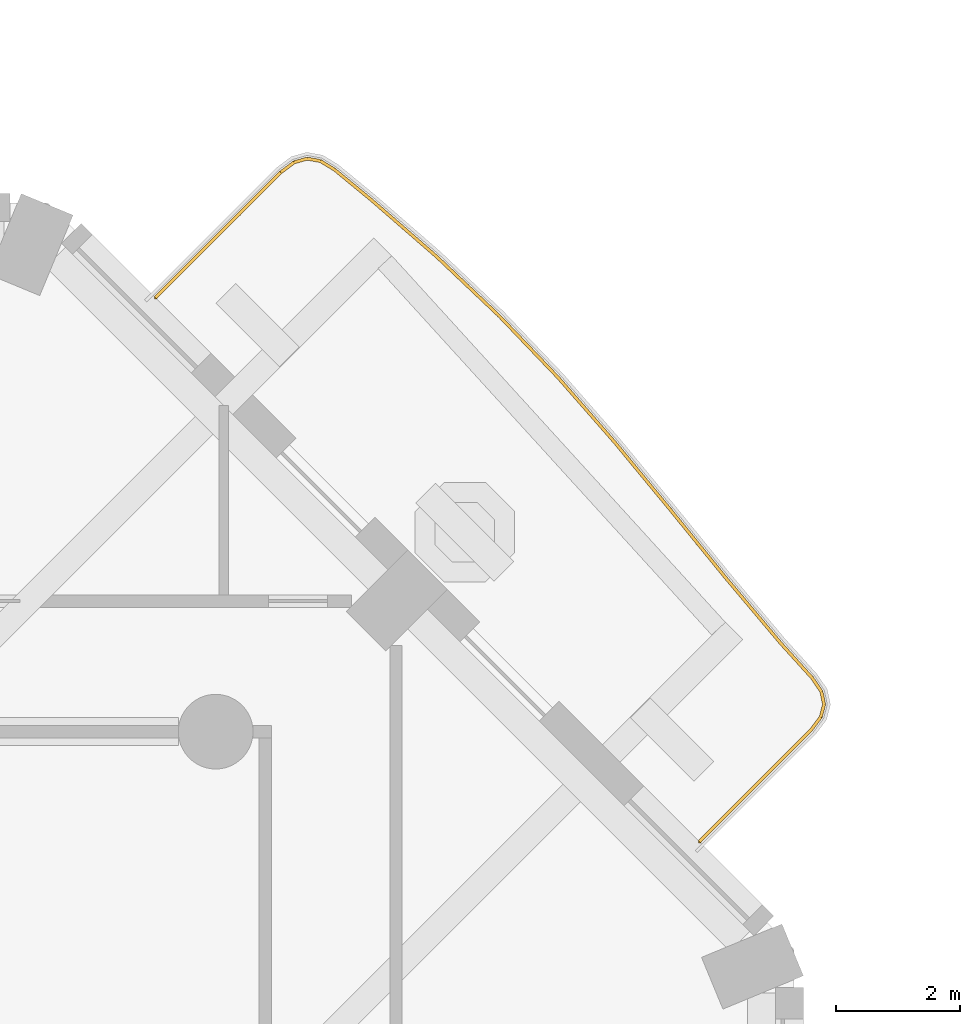
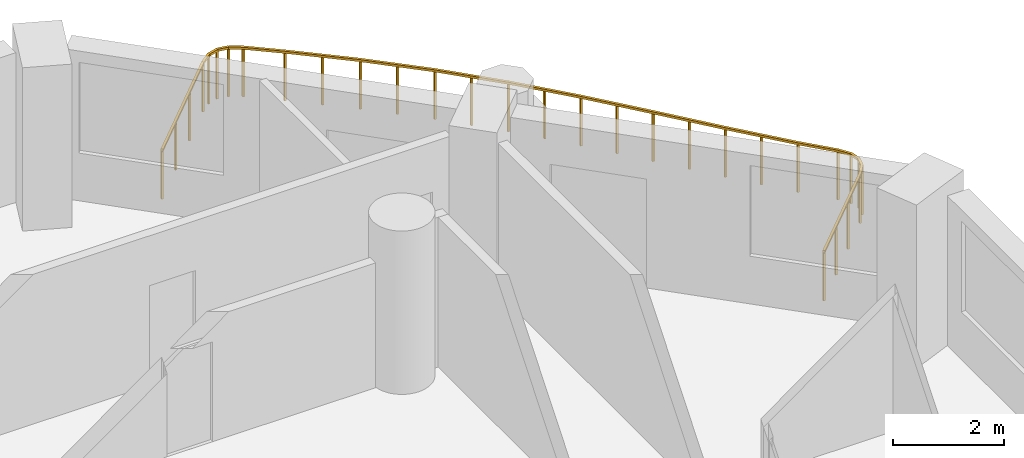
# One storey, part 18 of 19: 1 railing.
"""IFC4 building model written with IfcOpenShell, lengths in metres."""

from ifc_helpers import new_model, si_unit, direction, frame, origin, origin_2d, place, context, subcontext, project, spatial, rectangle, extrude, material, type_object, element, save


model = new_model("IFC4")

# Units and contexts
model_context = context("Model", 3, precision=1e-05, world=origin(), true_north=direction((0.0, 1.0)))
body_context = subcontext(model_context, "Body", "Model", "MODEL_VIEW")
ifc_project = project(units=[si_unit("LENGTHUNIT", "METRE"), si_unit("AREAUNIT", "SQUARE_METRE"), si_unit("VOLUMEUNIT", "CUBIC_METRE"), si_unit("PLANEANGLEUNIT", "RADIAN"), si_unit("MASSUNIT", "GRAM", prefix="KILO")], contexts=[model_context])

# Site, building, storey
site_placement = place(None, origin())
site = spatial("IfcSite", under=ifc_project, at=site_placement, CompositionType="ELEMENT")
building_placement = place(site_placement, origin())
building = spatial("IfcBuilding", under=site, at=building_placement, Name="Cypress Arch Tower", CompositionType="ELEMENT")
storey_placement = place(building_placement, frame((0.0, 0.0, 66.300048828125)))
storey = spatial("IfcBuildingStorey", under=building, at=storey_placement, Name="L10", CompositionType="ELEMENT", Elevation=66.300048828125)

# Railing
ifc_material = material(Name="Powder-coated steel posts and rods, 100 mm clear between rods", Category="steel")
railing_type = type_object("IfcRailingType", Name="Balcony guard GR1100", PredefinedType="GUARDRAIL", material=ifc_material)
railing_placement = place(storey_placement, frame((14.33251953125, 24.479736328125, 0.0)))
element("IfcRailing", 1, at=railing_placement, inside=storey, type_object=railing_type, Name="Balcony guard L10-A07", PredefinedType="GUARDRAIL", context=body_context, shape_type="SweptSolid", body=[
    extrude(rectangle(XDim=0.050048828125, YDim=0.050048828125, at=origin_2d()), frame((0.0, 0.0, 1.0751953125), z_axis=(0.707106781187, 0.707106781187, 0.0), x_axis=(-0.707106781187, 0.707106781187, 0.0)), (0.0, 0.0, 1.0), 2.84912109375),
    extrude(rectangle(XDim=0.050048828125, YDim=0.050048828125, at=origin_2d()), frame((2.0146484375, 2.0146484375, 1.0751953125), z_axis=(0.79835467344, 0.602187525109, 0.0), x_axis=(-0.602187525109, 0.79835467344, 0.0)), (0.0, 0.0, 1.0), 0.267578125),
    extrude(rectangle(XDim=0.050048828125, YDim=0.050048828125, at=origin_2d()), frame((2.228271484375, 2.17578125, 1.0751953125), z_axis=(0.963243658986, 0.268629211783, 0.0), x_axis=(-0.268629211783, 0.963243658986, 0.0)), (0.0, 0.0, 1.0), 0.21728515625),
    extrude(rectangle(XDim=0.050048828125, YDim=0.050048828125, at=origin_2d()), frame((2.4375, 2.234130859375, 1.0751953125), z_axis=(0.984896535635, -0.173143911516, 0.0), x_axis=(0.173143911516, 0.984896535635, 0.0)), (0.0, 0.0, 1.0), 0.217041015625),
    extrude(rectangle(XDim=0.050048828125, YDim=0.050048828125, at=origin_2d()), frame((2.6513671875, 2.196533203125, 1.0751953125), z_axis=(0.853033663852, -0.521855888474, 0.0), x_axis=(0.521855888474, 0.853033663852, 0.0)), (0.0, 0.0, 1.0), 0.267578125),
    extrude(rectangle(XDim=0.050048828125, YDim=0.050048828125, at=origin_2d()), frame((2.879638671875, 2.056884765625, 1.0751953125), z_axis=(0.772512839877, -0.634999143484, 0.0), x_axis=(0.634999143484, 0.772512839877, 0.0)), (0.0, 0.0, 1.0), 0.76171875),
    extrude(rectangle(XDim=0.050048828125, YDim=0.050048828125, at=origin_2d()), frame((3.468017578125, 1.5732421875, 1.0751953125), z_axis=(0.755154621014, -0.655546717147, 0.0), x_axis=(0.655546717147, 0.755154621014, 0.0)), (0.0, 0.0, 1.0), 1.38720703125),
    extrude(rectangle(XDim=0.050048828125, YDim=0.050048828125, at=origin_2d()), frame((4.515625, 0.663818359375, 1.0751953125), z_axis=(0.725989770779, -0.687705498541, 0.0), x_axis=(0.687705498541, 0.725989770779, 0.0)), (0.0, 0.0, 1.0), 1.3837890625),
    extrude(rectangle(XDim=0.050048828125, YDim=0.050048828125, at=origin_2d()), frame((5.520263671875, -0.287841796875, 1.0751953125), z_axis=(0.690958193633, -0.722894718926, 0.0), x_axis=(0.722894718926, 0.690958193633, 0.0)), (0.0, 0.0, 1.0), 1.383544921875),
    extrude(rectangle(XDim=0.050048828125, YDim=0.050048828125, at=origin_2d()), frame((6.476318359375, -1.2880859375, 1.0751953125), z_axis=(0.658168064071, -0.752871037719, 0.0), x_axis=(0.752871037719, 0.658168064071, 0.0)), (0.0, 0.0, 1.0), 1.386962890625),
    extrude(rectangle(XDim=0.050048828125, YDim=0.050048828125, at=origin_2d()), frame((7.38916015625, -2.332275390625, 1.0751953125), z_axis=(0.636205409701, -0.77151971891, 0.0), x_axis=(0.77151971891, 0.636205409701, 0.0)), (0.0, 0.0, 1.0), 1.39111328125),
    extrude(rectangle(XDim=0.050048828125, YDim=0.050048828125, at=origin_2d()), frame((8.274169921875, -3.405517578125, 1.0751953125), z_axis=(0.630724568884, -0.776006777165, 0.0), x_axis=(0.776006777165, 0.630724568884, 0.0)), (0.0, 0.0, 1.0), 1.39306640625),
    extrude(rectangle(XDim=0.050048828125, YDim=0.050048828125, at=origin_2d()), frame((9.15283203125, -4.486572265625, 1.0751953125), z_axis=(0.643627953067, -0.765338525119, 0.0), x_axis=(0.765338525119, 0.643627953067, 0.0)), (0.0, 0.0, 1.0), 1.39208984375),
    extrude(rectangle(XDim=0.050048828125, YDim=0.050048828125, at=origin_2d()), frame((10.048828125, -5.552001953125, 1.0751953125), z_axis=(0.670736750822, -0.741695497558, 0.0), x_axis=(0.741695497558, 0.670736750822, 0.0)), (0.0, 0.0, 1.0), 0.76025390625),
    extrude(rectangle(XDim=0.050048828125, YDim=0.050048828125, at=origin_2d()), frame((10.558837890625, -6.115966796875, 1.0751953125), z_axis=(0.560011474874, -0.828484850802, 0.0), x_axis=(0.828484850802, 0.560011474874, 0.0)), (0.0, 0.0, 1.0), 0.2646484375),
    extrude(rectangle(XDim=0.050048828125, YDim=0.050048828125, at=origin_2d()), frame((10.70703125, -6.335205078125, 1.0751953125), z_axis=(0.207235620923, -0.978291059665, 0.0), x_axis=(0.978291059665, 0.207235620923, 0.0)), (0.0, 0.0, 1.0), 0.2109375),
    extrude(rectangle(XDim=0.050048828125, YDim=0.050048828125, at=origin_2d()), frame((10.750732421875, -6.54150390625, 1.0751953125), z_axis=(-0.256147408618, -0.966637732068, 0.0), x_axis=(0.966637732068, -0.256147408618, 0.0)), (0.0, 0.0, 1.0), 0.210693359375),
    extrude(rectangle(XDim=0.050048828125, YDim=0.050048828125, at=origin_2d()), frame((10.69677734375, -6.7451171875, 1.0751953125), z_axis=(-0.600885730724, -0.799334935188, 0.0), x_axis=(0.799334935188, -0.600885730724, 0.0)), (0.0, 0.0, 1.0), 0.264404296875),
    extrude(rectangle(XDim=0.050048828125, YDim=0.050048828125, at=origin_2d()), frame((10.537841796875, -6.95654296875, 1.0751953125), z_axis=(-0.707058575386, -0.707154983701, 0.0), x_axis=(0.707154983701, -0.707058575386, 0.0)), (0.0, 0.0, 1.0), 2.532470703125),
    extrude(rectangle(XDim=0.0400390625, YDim=0.0400390625, at=origin_2d()), origin(), (0.0, 0.0, 1.0), 1.050048828125),
    extrude(rectangle(XDim=0.0400390625, YDim=0.0400390625, at=origin_2d()), frame((0.671630859375, 0.671630859375, 0.0)), (0.0, 0.0, 1.0), 1.050048828125),
    extrude(rectangle(XDim=0.0400390625, YDim=0.0400390625, at=origin_2d()), frame((1.343017578125, 1.343017578125, 0.0)), (0.0, 0.0, 1.0), 1.050048828125),
    extrude(rectangle(XDim=0.0400390625, YDim=0.0400390625, at=origin_2d()), frame((2.0146484375, 2.0146484375, 0.0)), (0.0, 0.0, 1.0), 1.050048828125),
    extrude(rectangle(XDim=0.0400390625, YDim=0.0400390625, at=origin_2d()), frame((2.228271484375, 2.17578125, 0.0)), (0.0, 0.0, 1.0), 1.050048828125),
    extrude(rectangle(XDim=0.0400390625, YDim=0.0400390625, at=origin_2d()), frame((2.4375, 2.234130859375, 0.0)), (0.0, 0.0, 1.0), 1.050048828125),
    extrude(rectangle(XDim=0.0400390625, YDim=0.0400390625, at=origin_2d()), frame((2.6513671875, 2.196533203125, 0.0)), (0.0, 0.0, 1.0), 1.050048828125),
    extrude(rectangle(XDim=0.0400390625, YDim=0.0400390625, at=origin_2d()), frame((2.879638671875, 2.056884765625, 0.0)), (0.0, 0.0, 1.0), 1.050048828125),
    extrude(rectangle(XDim=0.0400390625, YDim=0.0400390625, at=origin_2d()), frame((3.468017578125, 1.5732421875, 0.0)), (0.0, 0.0, 1.0), 1.050048828125),
    extrude(rectangle(XDim=0.0400390625, YDim=0.0400390625, at=origin_2d()), frame((3.99169921875, 1.11865234375, 0.0)), (0.0, 0.0, 1.0), 1.050048828125),
    extrude(rectangle(XDim=0.0400390625, YDim=0.0400390625, at=origin_2d()), frame((4.515625, 0.663818359375, 0.0)), (0.0, 0.0, 1.0), 1.050048828125),
    extrude(rectangle(XDim=0.0400390625, YDim=0.0400390625, at=origin_2d()), frame((5.01806640625, 0.18798828125, 0.0)), (0.0, 0.0, 1.0), 1.050048828125),
    extrude(rectangle(XDim=0.0400390625, YDim=0.0400390625, at=origin_2d()), frame((5.520263671875, -0.287841796875, 0.0)), (0.0, 0.0, 1.0), 1.050048828125),
    extrude(rectangle(XDim=0.0400390625, YDim=0.0400390625, at=origin_2d()), frame((5.998291015625, -0.7880859375, 0.0)), (0.0, 0.0, 1.0), 1.050048828125),
    extrude(rectangle(XDim=0.0400390625, YDim=0.0400390625, at=origin_2d()), frame((6.476318359375, -1.2880859375, 0.0)), (0.0, 0.0, 1.0), 1.050048828125),
    extrude(rectangle(XDim=0.0400390625, YDim=0.0400390625, at=origin_2d()), frame((6.9326171875, -1.81005859375, 0.0)), (0.0, 0.0, 1.0), 1.050048828125),
    extrude(rectangle(XDim=0.0400390625, YDim=0.0400390625, at=origin_2d()), frame((7.38916015625, -2.332275390625, 0.0)), (0.0, 0.0, 1.0), 1.050048828125),
    extrude(rectangle(XDim=0.0400390625, YDim=0.0400390625, at=origin_2d()), frame((7.83154296875, -2.868896484375, 0.0)), (0.0, 0.0, 1.0), 1.050048828125),
    extrude(rectangle(XDim=0.0400390625, YDim=0.0400390625, at=origin_2d()), frame((8.274169921875, -3.405517578125, 0.0)), (0.0, 0.0, 1.0), 1.050048828125),
    extrude(rectangle(XDim=0.0400390625, YDim=0.0400390625, at=origin_2d()), frame((8.71337890625, -3.946044921875, 0.0)), (0.0, 0.0, 1.0), 1.050048828125),
    extrude(rectangle(XDim=0.0400390625, YDim=0.0400390625, at=origin_2d()), frame((9.15283203125, -4.486572265625, 0.0)), (0.0, 0.0, 1.0), 1.050048828125),
    extrude(rectangle(XDim=0.0400390625, YDim=0.0400390625, at=origin_2d()), frame((9.600830078125, -5.019287109375, 0.0)), (0.0, 0.0, 1.0), 1.050048828125),
    extrude(rectangle(XDim=0.0400390625, YDim=0.0400390625, at=origin_2d()), frame((10.048828125, -5.552001953125, 0.0)), (0.0, 0.0, 1.0), 1.050048828125),
    extrude(rectangle(XDim=0.0400390625, YDim=0.0400390625, at=origin_2d()), frame((10.558837890625, -6.115966796875, 0.0)), (0.0, 0.0, 1.0), 1.050048828125),
    extrude(rectangle(XDim=0.0400390625, YDim=0.0400390625, at=origin_2d()), frame((10.70703125, -6.335205078125, 0.0)), (0.0, 0.0, 1.0), 1.050048828125),
    extrude(rectangle(XDim=0.0400390625, YDim=0.0400390625, at=origin_2d()), frame((10.750732421875, -6.54150390625, 0.0)), (0.0, 0.0, 1.0), 1.050048828125),
    extrude(rectangle(XDim=0.0400390625, YDim=0.0400390625, at=origin_2d()), frame((10.69677734375, -6.7451171875, 0.0)), (0.0, 0.0, 1.0), 1.050048828125),
    extrude(rectangle(XDim=0.0400390625, YDim=0.0400390625, at=origin_2d()), frame((10.537841796875, -6.95654296875, 0.0)), (0.0, 0.0, 1.0), 1.050048828125),
    extrude(rectangle(XDim=0.0400390625, YDim=0.0400390625, at=origin_2d()), frame((9.94091796875, -7.553466796875, 0.0)), (0.0, 0.0, 1.0), 1.050048828125),
    extrude(rectangle(XDim=0.0400390625, YDim=0.0400390625, at=origin_2d()), frame((9.34423828125, -8.150390625, 0.0)), (0.0, 0.0, 1.0), 1.050048828125),
    extrude(rectangle(XDim=0.0400390625, YDim=0.0400390625, at=origin_2d()), frame((8.747314453125, -8.747314453125, 0.0)), (0.0, 0.0, 1.0), 1.050048828125),
])

save(model, "model.ifc")
